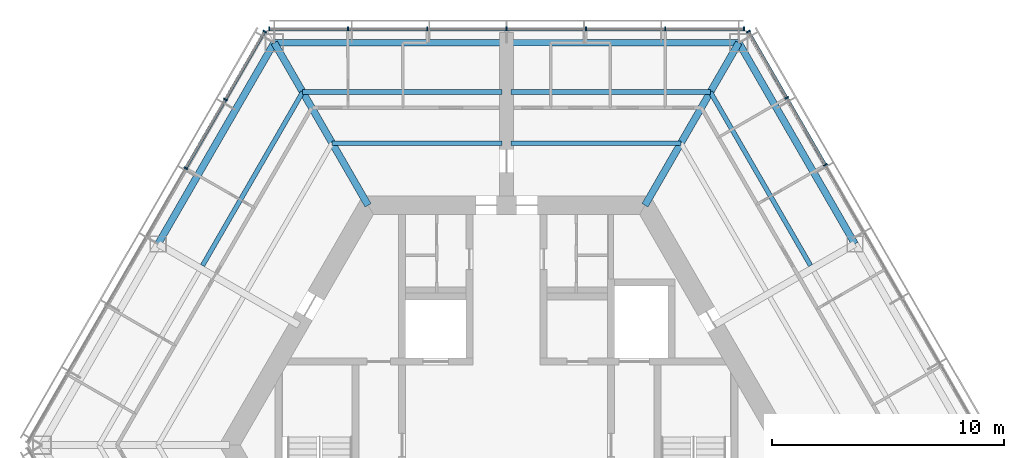
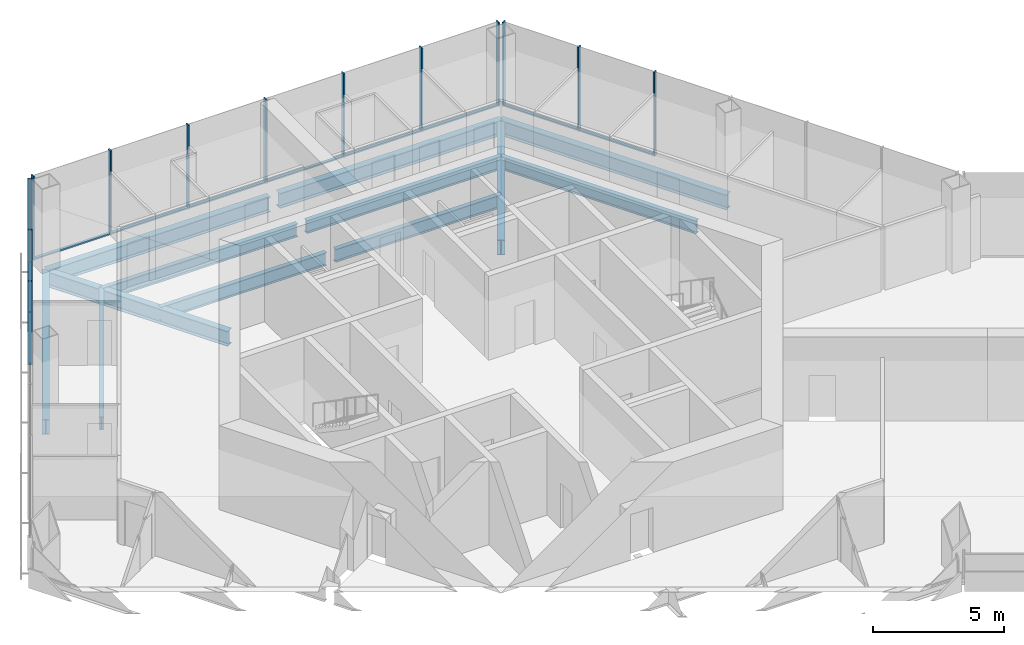
# One storey, part 5 of 13: 23 members, 12 beams, 3 elements without a shape of their own.
"""IFC4 building model written with IfcOpenShell, lengths in metres."""

import ifcopenshell
import ifcopenshell.guid

model = None  # the IFC model being written
_history = None  # IfcOwnerHistory: only IFC2X3 demands one
_inside = {}  # id of a spatial element -> (the spatial element, [elements in it])
_under = {}  # id of a project, library or spatial element -> (it, [spatial elements below it])
_declared = {}  # id of a project -> (the project, [libraries it declares])
_typed = {}  # id of a type object -> (the type object, [elements of that type])
_made_of = {}  # id of a material, layer set ... -> (it, [elements and type objects made of it])


def new_model(schema):
    """Start an empty IFC model of exactly this schema.

    Asked for "IFC4X3", IfcOpenShell would pick the latest addendum, in which some entities
    have other attributes; the version numbers below select the first issue.
    IFC2X3 requires an IfcOwnerHistory on every rooted entity: one is made here for all.
    """
    global model, _history
    if schema == "IFC4X3":
        model = ifcopenshell.file(schema_version=(4, 3, 0, 0))
    else:
        model = ifcopenshell.file(schema=schema)
    _inside.clear()
    _under.clear()
    _declared.clear()
    _typed.clear()
    _made_of.clear()
    _history = None
    if model.schema == "IFC2X3":
        org = make("IfcOrganization", Name="unknown")
        user = make(
            "IfcPersonAndOrganization",
            ThePerson=make("IfcPerson", FamilyName="unknown"),
            TheOrganization=org,
        )
        app = make(
            "IfcApplication",
            ApplicationDeveloper=org,
            Version="unknown",
            ApplicationFullName="unknown",
            ApplicationIdentifier="unknown",
        )
        _history = make(
            "IfcOwnerHistory",
            OwningUser=user,
            OwningApplication=app,
            ChangeAction="ADDED",
            CreationDate=0,
        )
    return model


def make(cls, **values):
    """One entity of the class cls with the attributes given. An attribute that is None is left unset."""
    return model.create_entity(
        cls, **{name: value for name, value in values.items() if value is not None}
    )


def rooted(cls, **values):
    """An entity with a GlobalId (a new one), such as an element, a storey or a relation."""
    return make(cls, GlobalId=ifcopenshell.guid.new(), OwnerHistory=_history, **values)


def si_unit(unit_type, name, prefix=None):
    """IfcSIUnit, for example si_unit("LENGTHUNIT", "METRE", prefix="MILLI")."""
    return make("IfcSIUnit", UnitType=unit_type, Prefix=prefix, Name=name)


def assignment(units):
    """IfcUnitAssignment: the units of a project."""
    return None if units is None else make("IfcUnitAssignment", Units=units)


def point(xyz):
    """IfcCartesianPoint."""
    return None if xyz is None else make("IfcCartesianPoint", Coordinates=xyz)


def direction(xyz):
    """IfcDirection."""
    return None if xyz is None else make("IfcDirection", DirectionRatios=xyz)


def frame(location, z_axis=None, x_axis=None):
    """IfcAxis2Placement3D, a coordinate frame: its origin and axes. An axis left out is left unset."""
    return make(
        "IfcAxis2Placement3D",
        Location=point(location),
        Axis=direction(z_axis),
        RefDirection=direction(x_axis),
    )


def frame_2d(location, x_axis=None):
    """IfcAxis2Placement2D, a coordinate frame in the plane: its origin and x axis."""
    return make(
        "IfcAxis2Placement2D", Location=point(location), RefDirection=direction(x_axis)
    )


def origin():
    """The frame at (0, 0, 0) with its axes left unset."""
    return frame((0.0, 0.0, 0.0))


def origin_2d():
    """The frame at (0, 0) in the plane with its x axis left unset."""
    return frame_2d((0.0, 0.0))


def place(relative_to, where):
    """IfcLocalPlacement: puts the frame where relative to a parent placement (None: the world)."""
    return make(
        "IfcLocalPlacement", PlacementRelTo=relative_to, RelativePlacement=where
    )


def context(
    kind, dimensions, precision=None, world=None, true_north=None, identifier=None
):
    """IfcGeometricRepresentationContext, for example the 3D "Model" context."""
    return make(
        "IfcGeometricRepresentationContext",
        ContextIdentifier=identifier,
        ContextType=kind,
        CoordinateSpaceDimension=dimensions,
        Precision=precision,
        WorldCoordinateSystem=world,
        TrueNorth=true_north,
    )


def subcontext(parent, identifier, kind, view, scale=None):
    """IfcGeometricRepresentationSubContext, for example "Body" below "Model"."""
    return make(
        "IfcGeometricRepresentationSubContext",
        ContextIdentifier=identifier,
        ContextType=kind,
        ParentContext=parent,
        TargetScale=scale,
        TargetView=view,
    )


def project(units=None, contexts=None):
    """IfcProject with its units and contexts."""
    return rooted(
        "IfcProject",
        Name="project",
        RepresentationContexts=contexts,
        UnitsInContext=assignment(units),
    )


def spatial(cls, under=None, at=None, **own):
    """A site, building, storey or space (cls), placed at a placement, below another one or the project."""
    s = rooted(cls, ObjectPlacement=at, **own)
    if under is not None:
        _under.setdefault(under.id(), (under, []))[1].append(s)
    return s


def profile(cls, at=None, kind="AREA", **sizes):
    """A parametric profile (cls). Its sizes go by their IFC names, for example OverallWidth=200.0."""
    return make(cls, ProfileType=kind, Position=at, **sizes)


def rectangle(**sizes):
    """IfcRectangleProfileDef."""
    return profile("IfcRectangleProfileDef", **sizes)


def i_section(**sizes):
    """IfcIShapeProfileDef."""
    return profile("IfcIShapeProfileDef", **sizes)


def extrude(swept, where, along, depth):
    """IfcExtrudedAreaSolid: the profile swept, set in the frame where, extruded along a direction by depth."""
    return make(
        "IfcExtrudedAreaSolid",
        SweptArea=swept,
        Position=where,
        ExtrudedDirection=direction(along),
        Depth=depth,
    )


def shape(context_of_items, identifier, shape_type, items):
    """IfcShapeRepresentation: the items that make up one representation, for example the "Body"."""
    return make(
        "IfcShapeRepresentation",
        ContextOfItems=context_of_items,
        RepresentationIdentifier=identifier,
        RepresentationType=shape_type,
        Items=items,
    )


def material(Name=None, Category=None):
    """IfcMaterial."""
    return make("IfcMaterial", Name=Name, Category=Category)


def material_profile(
    of_material, cross_section, Name=None, Category=None, Priority=None
):
    """IfcMaterialProfile: a cross section and its material."""
    return make(
        "IfcMaterialProfile",
        Name=Name,
        Material=of_material,
        Profile=cross_section,
        Priority=Priority,
        Category=Category,
    )


def profile_set(profiles, Name=None, composite=None):
    """IfcMaterialProfileSet."""
    return make(
        "IfcMaterialProfileSet",
        Name=Name,
        MaterialProfiles=profiles,
        CompositeProfile=composite,
    )


def made_of(thing, what):
    """Note that an element or type object is made of a material, layer set ...; save() writes the relation."""
    if what is not None:
        _made_of.setdefault(what.id(), (what, []))[1].append(thing)
    return thing


def type_object(cls, material=None, **own):
    """A type object (cls), such as IfcWallType, which elements share."""
    return made_of(rooted(cls, **own), material)


def element(
    cls,
    number,
    at=None,
    inside=None,
    cuts=None,
    type_object=None,
    material=None,
    context=None,
    identifier="Body",
    shape_type=None,
    held_by="IfcProductDefinitionShape",
    body=None,
    shapes=None,
    **own,
):
    """One element of the class cls, such as IfcWall. Its Tag is "e" and its number.

    at: its placement. inside: the storey or other place that contains it. cuts: it is an
    opening in that element (IfcRelVoidsElement). A single representation is given by context,
    identifier, shape_type and body (its items); several are given by shapes. held_by: the class
    of the entity that holds the representations. save() writes the other relations.
    """
    e = rooted(cls, Tag="e%d" % number, ObjectPlacement=at, **own)
    if body is not None:
        shapes = [shape(context, identifier, shape_type, body)]
    if shapes is not None:
        e.Representation = make(held_by, Representations=shapes)
    if inside is not None:
        _inside.setdefault(inside.id(), (inside, []))[1].append(e)
    if cuts is not None:
        rooted(
            "IfcRelVoidsElement", RelatingBuildingElement=cuts, RelatedOpeningElement=e
        )
    if type_object is not None:
        _typed.setdefault(type_object.id(), (type_object, []))[1].append(e)
    return made_of(e, material)


def aggregate(whole, parts):
    """IfcRelAggregates: a whole, such as a stair, and the parts it consists of."""
    return rooted("IfcRelAggregates", RelatingObject=whole, RelatedObjects=parts)


def save(model, path):
    """Write the relations noted so far, then the file.

    IfcRelAggregates (storeys below a building ...), IfcRelContainedInSpatialStructure (elements
    in a storey), IfcRelDefinesByType, IfcRelAssociatesMaterial and IfcRelDeclares: one each for
    every whole, place, type object, material and project.
    """
    for whole, parts in _under.values():
        aggregate(whole, parts)
    for where, things in _inside.values():
        rooted(
            "IfcRelContainedInSpatialStructure",
            RelatedElements=things,
            RelatingStructure=where,
        )
    for kind, things in _typed.values():
        rooted("IfcRelDefinesByType", RelatedObjects=things, RelatingType=kind)
    for what, things in _made_of.values():
        rooted("IfcRelAssociatesMaterial", RelatedObjects=things, RelatingMaterial=what)
    for by, libraries in _declared.values():
        rooted("IfcRelDeclares", RelatingContext=by, RelatedDefinitions=libraries)
    model.write(path)


model = new_model("IFC4")

# Units and contexts
model_context = context("Model", 3, precision=1e-05, world=origin(), true_north=direction((0.0, 1.0)))
body_context = subcontext(model_context, "Body", "Model", "MODEL_VIEW")
ifc_project = project(units=[si_unit("LENGTHUNIT", "METRE"), si_unit("AREAUNIT", "SQUARE_METRE"), si_unit("VOLUMEUNIT", "CUBIC_METRE"), si_unit("PLANEANGLEUNIT", "RADIAN"), si_unit("MASSUNIT", "GRAM", prefix="KILO")], contexts=[model_context])

# Site, building, storey
site_placement = place(None, origin())
site = spatial("IfcSite", under=ifc_project, at=site_placement, CompositionType="ELEMENT")
building_placement = place(site_placement, origin())
building = spatial("IfcBuilding", under=site, at=building_placement, Name="Kasaneha Research Tower", CompositionType="ELEMENT")
storey_placement = place(building_placement, frame((0.0, 0.0, 294.699951171875)))
storey = spatial("IfcBuildingStorey", under=building, at=storey_placement, Name="L74", CompositionType="ELEMENT", Elevation=294.699951171875)

# Beams
ifc_material_1 = material(Name="Steel SN490B", Category="steel")
ifc_material_profile_1 = material_profile(ifc_material_1, i_section(OverallWidth=0.199951171875, OverallDepth=0.60009765625, WebThickness=0.010986328125, FlangeThickness=0.01708984375, FilletRadius=0.012939453125, at=origin_2d()), Name="H-600x200x11x17")
ifc_profile_set_1 = profile_set([ifc_material_profile_1], Name="Steel SN490B")
beam_type_1 = type_object("IfcBeamType", Name="B1-3 secondary beam H-600x200x11x17", PredefinedType="JOIST", material=ifc_profile_set_1)
beam_1_placement = place(storey_placement, frame((8.775634765625, 15.199951171875, -0.449951171875), z_axis=(0.500017275495, -0.866015429543, 0.0), x_axis=(0.866015429543, 0.500017275495, 0.0)))
element("IfcBeam", 1, at=beam_1_placement, inside=storey, type_object=beam_type_1, Name="Secondary beam RS030R2 L74", PredefinedType="JOIST", context=body_context, shape_type="SweptSolid", body=[
    extrude(i_section(OverallWidth=0.199951171875, OverallDepth=0.60009765625, WebThickness=0.010986328125, FlangeThickness=0.01708984375, FilletRadius=0.012939453125, at=origin_2d()), origin(), (0.0, 0.0, 1.0), 8.625732421875),
])
beam_2_placement = place(storey_placement, frame((7.505615234375, 13.0, -0.449951171875), z_axis=(-1.0, 0.0, 0.0), x_axis=(0.0, -1.0, 0.0)))
element("IfcBeam", 2, at=beam_2_placement, inside=storey, type_object=beam_type_1, Name="Secondary beam RS090L1 L74", PredefinedType="JOIST", context=body_context, shape_type="SweptSolid", body=[
    extrude(i_section(OverallWidth=0.199951171875, OverallDepth=0.60009765625, WebThickness=0.010986328125, FlangeThickness=0.01708984375, FilletRadius=0.012939453125, at=origin_2d()), origin(), (0.0, 0.0, 1.0), 7.3056640625),
])
beam_3_placement = place(storey_placement, frame((8.775634765625, 15.199951171875, -0.449951171875), z_axis=(-1.0, 0.0, 0.0), x_axis=(0.0, -1.0, 0.0)))
element("IfcBeam", 3, at=beam_3_placement, inside=storey, type_object=beam_type_1, Name="Secondary beam RS090L2 L74", PredefinedType="JOIST", context=body_context, shape_type="SweptSolid", body=[
    extrude(i_section(OverallWidth=0.199951171875, OverallDepth=0.60009765625, WebThickness=0.010986328125, FlangeThickness=0.01708984375, FilletRadius=0.012939453125, at=origin_2d()), origin(), (0.0, 0.0, 1.0), 8.57568359375),
])
beam_4_placement = place(storey_placement, frame((-7.505615234375, 13.0, -0.449951171875), z_axis=(1.0, 0.0, 0.0), x_axis=(0.0, 1.0, 0.0)))
element("IfcBeam", 4, at=beam_4_placement, inside=storey, type_object=beam_type_1, Name="Secondary beam RS090R1 L74", PredefinedType="JOIST", context=body_context, shape_type="SweptSolid", body=[
    extrude(i_section(OverallWidth=0.199951171875, OverallDepth=0.60009765625, WebThickness=0.010986328125, FlangeThickness=0.01708984375, FilletRadius=0.012939453125, at=origin_2d()), origin(), (0.0, 0.0, 1.0), 7.3056640625),
])
beam_5_placement = place(storey_placement, frame((-8.775634765625, 15.199951171875, -0.449951171875), z_axis=(1.0, 0.0, 0.0), x_axis=(0.0, 1.0, 0.0)))
element("IfcBeam", 5, at=beam_5_placement, inside=storey, type_object=beam_type_1, Name="Secondary beam RS090R2 L74", PredefinedType="JOIST", context=body_context, shape_type="SweptSolid", body=[
    extrude(i_section(OverallWidth=0.199951171875, OverallDepth=0.60009765625, WebThickness=0.010986328125, FlangeThickness=0.01708984375, FilletRadius=0.012939453125, at=origin_2d()), origin(), (0.0, 0.0, 1.0), 8.57568359375),
])
beam_6_placement = place(storey_placement, frame((-8.775634765625, 15.199951171875, -0.449951171875), z_axis=(-0.500017275495, -0.866015429543, 0.0), x_axis=(0.866015429543, -0.500017275495, 0.0)))
element("IfcBeam", 6, at=beam_6_placement, inside=storey, type_object=beam_type_1, Name="Secondary beam RS150L2 L74", PredefinedType="JOIST", context=body_context, shape_type="SweptSolid", body=[
    extrude(i_section(OverallWidth=0.199951171875, OverallDepth=0.60009765625, WebThickness=0.010986328125, FlangeThickness=0.01708984375, FilletRadius=0.012939453125, at=origin_2d()), origin(), (0.0, 0.0, 1.0), 8.625732421875),
])

# Curtain wall, members
ifc_material_2 = material(Name="Glass and aluminium", Category="aluminium")
curtain_wall_type = type_object("IfcCurtainWallType", Name="Crown curtain wall", PredefinedType="USERDEFINED", material=ifc_material_2)
curtain_wall_1_placement = place(storey_placement, origin())
curtain_wall_1 = element("IfcCurtainWall", 7, at=curtain_wall_1_placement, inside=storey, type_object=curtain_wall_type, Name="CW-C L74 run 01a", ObjectType="UNITISED CURTAIN WALL", PredefinedType="USERDEFINED")
ifc_material_3 = material(Name="Aluminium 6063-T6", Category="aluminium")
ifc_material_profile_2 = material_profile(ifc_material_3, rectangle(XDim=0.06005859375, YDim=0.179931640625, at=origin_2d()), Name="CW-C mullion 60x180")
ifc_profile_set_2 = profile_set([ifc_material_profile_2], Name="Aluminium 6063-T6")
member_type_1 = type_object("IfcMemberType", Name="CW-C mullion", PredefinedType="MULLION", material=ifc_profile_set_2)
member_1_placement = place(storey_placement, frame((13.727294921875, 12.064453125, 0.0), z_axis=(0.0, 0.0, 1.0), x_axis=(-0.499999979232, 0.866025415775, 0.0)))
member_1 = element("IfcMember", 8, at=member_1_placement, type_object=member_type_1, Name="CW-C mullion 5", PredefinedType="MULLION", context=body_context, shape_type="SweptSolid", body=[
    extrude(rectangle(XDim=0.06005859375, YDim=0.179931640625, at=origin_2d()), origin(), (0.0, 0.0, 1.0), 3.900146484375),
])
member_2_placement = place(storey_placement, frame((12.061767578125, 14.94921875, 0.0), z_axis=(0.0, 0.0, 1.0), x_axis=(-0.499999979232, 0.866025415775, 0.0)))
member_2 = element("IfcMember", 9, at=member_2_placement, type_object=member_type_1, Name="CW-C mullion 6", PredefinedType="MULLION", context=body_context, shape_type="SweptSolid", body=[
    extrude(rectangle(XDim=0.06005859375, YDim=0.179931640625, at=origin_2d()), origin(), (0.0, 0.0, 1.0), 3.900146484375),
])
member_3_placement = place(storey_placement, frame((10.411376953125, 17.807861328125, 0.0), z_axis=(0.0, 0.0, 1.0), x_axis=(-0.499999979232, 0.866025415775, 0.0)))
member_3 = element("IfcMember", 10, at=member_3_placement, type_object=member_type_1, Name="CW-C mullion 7", PredefinedType="MULLION", context=body_context, shape_type="SweptSolid", body=[
    extrude(rectangle(XDim=0.06005859375, YDim=0.179931640625, at=origin_2d()), origin(), (0.0, 0.0, 1.0), 3.900146484375),
])

curtain_wall_2_placement = place(storey_placement, origin())
curtain_wall_2 = element("IfcCurtainWall", 11, at=curtain_wall_2_placement, inside=storey, type_object=curtain_wall_type, Name="CW-C L74 run 02a", ObjectType="UNITISED CURTAIN WALL", PredefinedType="USERDEFINED")
member_4_placement = place(storey_placement, frame((10.21630859375, 17.92041015625, 0.0), z_axis=(0.0, 0.0, 1.0), x_axis=(-1.0, 0.0, 0.0)))
member_4 = element("IfcMember", 12, at=member_4_placement, type_object=member_type_1, Name="CW-C mullion 1", PredefinedType="MULLION", context=body_context, shape_type="SweptSolid", body=[
    extrude(rectangle(XDim=0.06005859375, YDim=0.179931640625, at=origin_2d()), origin(), (0.0, 0.0, 1.0), 3.900146484375),
])
member_5_placement = place(storey_placement, frame((6.8310546875, 17.92041015625, 0.0), z_axis=(0.0, 0.0, 1.0), x_axis=(-1.0, 0.0, 0.0)))
member_5 = element("IfcMember", 13, at=member_5_placement, type_object=member_type_1, Name="CW-C mullion 2", PredefinedType="MULLION", context=body_context, shape_type="SweptSolid", body=[
    extrude(rectangle(XDim=0.06005859375, YDim=0.179931640625, at=origin_2d()), origin(), (0.0, 0.0, 1.0), 3.900146484375),
])
member_6_placement = place(storey_placement, frame((3.41552734375, 17.92041015625, 0.0), z_axis=(0.0, 0.0, 1.0), x_axis=(-1.0, 0.0, 0.0)))
member_6 = element("IfcMember", 14, at=member_6_placement, type_object=member_type_1, Name="CW-C mullion 3", PredefinedType="MULLION", context=body_context, shape_type="SweptSolid", body=[
    extrude(rectangle(XDim=0.06005859375, YDim=0.179931640625, at=origin_2d()), origin(), (0.0, 0.0, 1.0), 3.900146484375),
])
member_7_placement = place(storey_placement, frame((0.0, 17.92041015625, 0.0), z_axis=(0.0, 0.0, 1.0), x_axis=(-1.0, 0.0, 0.0)))
member_7 = element("IfcMember", 15, at=member_7_placement, type_object=member_type_1, Name="CW-C mullion 4", PredefinedType="MULLION", context=body_context, shape_type="SweptSolid", body=[
    extrude(rectangle(XDim=0.06005859375, YDim=0.179931640625, at=origin_2d()), origin(), (0.0, 0.0, 1.0), 3.900146484375),
])
member_8_placement = place(storey_placement, frame((-3.41552734375, 17.92041015625, 0.0), z_axis=(0.0, 0.0, 1.0), x_axis=(-1.0, 0.0, 0.0)))
member_8 = element("IfcMember", 16, at=member_8_placement, type_object=member_type_1, Name="CW-C mullion 5", PredefinedType="MULLION", context=body_context, shape_type="SweptSolid", body=[
    extrude(rectangle(XDim=0.06005859375, YDim=0.179931640625, at=origin_2d()), origin(), (0.0, 0.0, 1.0), 3.900146484375),
])
member_9_placement = place(storey_placement, frame((-6.8310546875, 17.92041015625, 0.0), z_axis=(0.0, 0.0, 1.0), x_axis=(-1.0, 0.0, 0.0)))
member_9 = element("IfcMember", 17, at=member_9_placement, type_object=member_type_1, Name="CW-C mullion 6", PredefinedType="MULLION", context=body_context, shape_type="SweptSolid", body=[
    extrude(rectangle(XDim=0.06005859375, YDim=0.179931640625, at=origin_2d()), origin(), (0.0, 0.0, 1.0), 3.900146484375),
])
member_10_placement = place(storey_placement, frame((-10.21630859375, 17.92041015625, 0.0), z_axis=(0.0, 0.0, 1.0), x_axis=(-1.0, 0.0, 0.0)))
member_10 = element("IfcMember", 18, at=member_10_placement, type_object=member_type_1, Name="CW-C mullion 7", PredefinedType="MULLION", context=body_context, shape_type="SweptSolid", body=[
    extrude(rectangle(XDim=0.06005859375, YDim=0.179931640625, at=origin_2d()), origin(), (0.0, 0.0, 1.0), 3.900146484375),
])

curtain_wall_3_placement = place(storey_placement, origin())
curtain_wall_3 = element("IfcCurtainWall", 19, at=curtain_wall_3_placement, inside=storey, type_object=curtain_wall_type, Name="CW-C L74 run 03a", ObjectType="UNITISED CURTAIN WALL", PredefinedType="USERDEFINED")
member_11_placement = place(storey_placement, frame((-10.411376953125, 17.807861328125, 0.0), z_axis=(0.0, 0.0, 1.0), x_axis=(-0.499999995722, -0.866025406254, 0.0)))
member_11 = element("IfcMember", 20, at=member_11_placement, type_object=member_type_1, Name="CW-C mullion 1", PredefinedType="MULLION", context=body_context, shape_type="SweptSolid", body=[
    extrude(rectangle(XDim=0.06005859375, YDim=0.179931640625, at=origin_2d()), origin(), (0.0, 0.0, 1.0), 3.900146484375),
])
member_12_placement = place(storey_placement, frame((-12.104248046875, 14.8759765625, 0.0), z_axis=(0.0, 0.0, 1.0), x_axis=(-0.499999995722, -0.866025406254, 0.0)))
member_12 = element("IfcMember", 21, at=member_12_placement, type_object=member_type_1, Name="CW-C mullion 2", PredefinedType="MULLION", context=body_context, shape_type="SweptSolid", body=[
    extrude(rectangle(XDim=0.06005859375, YDim=0.179931640625, at=origin_2d()), origin(), (0.0, 0.0, 1.0), 3.900146484375),
])
member_13_placement = place(storey_placement, frame((-13.811767578125, 11.918212890625, 0.0), z_axis=(0.0, 0.0, 1.0), x_axis=(-0.499999995722, -0.866025406254, 0.0)))
member_13 = element("IfcMember", 22, at=member_13_placement, type_object=member_type_1, Name="CW-C mullion 3", PredefinedType="MULLION", context=body_context, shape_type="SweptSolid", body=[
    extrude(rectangle(XDim=0.06005859375, YDim=0.179931640625, at=origin_2d()), origin(), (0.0, 0.0, 1.0), 3.900146484375),
])

# Member
ifc_material_4 = material(Name="Aluminium 6063-T6", Category="aluminium")
ifc_material_profile_3 = material_profile(ifc_material_4, rectangle(XDim=0.1298828125, YDim=0.06005859375, at=origin_2d()), Name="CW-C transom 130x60")
ifc_profile_set_3 = profile_set([ifc_material_profile_3], Name="Aluminium 6063-T6")
member_type_2 = type_object("IfcMemberType", Name="CW-C transom", PredefinedType="USERDEFINED", material=ifc_profile_set_3)
member_14_placement = place(storey_placement, frame((13.71240234375, 12.090576171875, 0.030029296875), z_axis=(-0.500000270186, 0.866025247793, 0.0), x_axis=(-0.866025247793, -0.500000270186, 0.0)))
member_14 = element("IfcMember", 23, at=member_14_placement, type_object=member_type_2, Name="CW-C transom 5", ObjectType="TRANSOM", PredefinedType="USERDEFINED", context=body_context, shape_type="SweptSolid", body=[
    extrude(rectangle(XDim=0.1298828125, YDim=0.06005859375, at=origin_2d()), origin(), (0.0, 0.0, 1.0), 3.27099609375),
])

member_15_placement = place(storey_placement, frame((12.046875, 14.97509765625, 0.030029296875), z_axis=(-0.499955025697, 0.866051368154, 0.0), x_axis=(-0.866051368154, -0.499955025697, 0.0)))
member_15 = element("IfcMember", 24, at=member_15_placement, type_object=member_type_2, Name="CW-C transom 6", ObjectType="TRANSOM", PredefinedType="USERDEFINED", context=body_context, shape_type="SweptSolid", body=[
    extrude(rectangle(XDim=0.1298828125, YDim=0.06005859375, at=origin_2d()), origin(), (0.0, 0.0, 1.0), 3.240966796875),
])

aggregate(curtain_wall_1, [member_1, member_2, member_3, member_14, member_15])

member_16_placement = place(storey_placement, frame((10.1865234375, 17.92041015625, 0.030029296875), z_axis=(-1.0, 0.0, 0.0), x_axis=(0.0, -1.0, 0.0)))
member_16 = element("IfcMember", 25, at=member_16_placement, type_object=member_type_2, Name="CW-C transom 1", ObjectType="TRANSOM", PredefinedType="USERDEFINED", context=body_context, shape_type="SweptSolid", body=[
    extrude(rectangle(XDim=0.1298828125, YDim=0.06005859375, at=origin_2d()), origin(), (0.0, 0.0, 1.0), 3.32568359375),
])

member_17_placement = place(storey_placement, frame((6.801025390625, 17.92041015625, 0.030029296875), z_axis=(-1.0, 0.0, 0.0), x_axis=(0.0, -1.0, 0.0)))
member_17 = element("IfcMember", 26, at=member_17_placement, type_object=member_type_2, Name="CW-C transom 2", ObjectType="TRANSOM", PredefinedType="USERDEFINED", context=body_context, shape_type="SweptSolid", body=[
    extrude(rectangle(XDim=0.1298828125, YDim=0.06005859375, at=origin_2d()), origin(), (0.0, 0.0, 1.0), 3.35546875),
])

member_18_placement = place(storey_placement, frame((3.385498046875, 17.92041015625, 0.030029296875), z_axis=(-1.0, 0.0, 0.0), x_axis=(0.0, -1.0, 0.0)))
member_18 = element("IfcMember", 27, at=member_18_placement, type_object=member_type_2, Name="CW-C transom 3", ObjectType="TRANSOM", PredefinedType="USERDEFINED", context=body_context, shape_type="SweptSolid", body=[
    extrude(rectangle(XDim=0.1298828125, YDim=0.06005859375, at=origin_2d()), origin(), (0.0, 0.0, 1.0), 3.35546875),
])

member_19_placement = place(storey_placement, frame((-0.030029296875, 17.92041015625, 0.030029296875), z_axis=(-1.0, 0.0, 0.0), x_axis=(0.0, -1.0, 0.0)))
member_19 = element("IfcMember", 28, at=member_19_placement, type_object=member_type_2, Name="CW-C transom 4", ObjectType="TRANSOM", PredefinedType="USERDEFINED", context=body_context, shape_type="SweptSolid", body=[
    extrude(rectangle(XDim=0.1298828125, YDim=0.06005859375, at=origin_2d()), origin(), (0.0, 0.0, 1.0), 3.35546875),
])

member_20_placement = place(storey_placement, frame((-3.445556640625, 17.92041015625, 0.030029296875), z_axis=(-1.0, 0.0, 0.0), x_axis=(0.0, -1.0, 0.0)))
member_20 = element("IfcMember", 29, at=member_20_placement, type_object=member_type_2, Name="CW-C transom 5", ObjectType="TRANSOM", PredefinedType="USERDEFINED", context=body_context, shape_type="SweptSolid", body=[
    extrude(rectangle(XDim=0.1298828125, YDim=0.06005859375, at=origin_2d()), origin(), (0.0, 0.0, 1.0), 3.35546875),
])

member_21_placement = place(storey_placement, frame((-6.86083984375, 17.92041015625, 0.030029296875), z_axis=(-1.0, 0.0, 0.0), x_axis=(0.0, -1.0, 0.0)))
member_21 = element("IfcMember", 30, at=member_21_placement, type_object=member_type_2, Name="CW-C transom 6", ObjectType="TRANSOM", PredefinedType="USERDEFINED", context=body_context, shape_type="SweptSolid", body=[
    extrude(rectangle(XDim=0.1298828125, YDim=0.06005859375, at=origin_2d()), origin(), (0.0, 0.0, 1.0), 3.32568359375),
])

aggregate(curtain_wall_2, [member_4, member_5, member_6, member_7, member_8, member_9, member_10, member_16, member_17, member_18, member_19, member_20, member_21])

member_22_placement = place(storey_placement, frame((-10.426513671875, 17.781982421875, 0.030029296875), z_axis=(-0.49997666526, -0.866038875684, 0.0), x_axis=(0.866038875684, -0.49997666526, 0.0)))
member_22 = element("IfcMember", 31, at=member_22_placement, type_object=member_type_2, Name="CW-C transom 1", ObjectType="TRANSOM", PredefinedType="USERDEFINED", context=body_context, shape_type="SweptSolid", body=[
    extrude(rectangle(XDim=0.1298828125, YDim=0.06005859375, at=origin_2d()), origin(), (0.0, 0.0, 1.0), 3.325439453125),
])

member_23_placement = place(storey_placement, frame((-12.119140625, 14.85009765625, 0.030029296875), z_axis=(-0.499989072476, -0.866031712701, 0.0), x_axis=(0.866031712701, -0.499989072476, 0.0)))
member_23 = element("IfcMember", 32, at=member_23_placement, type_object=member_type_2, Name="CW-C transom 2", ObjectType="TRANSOM", PredefinedType="USERDEFINED", context=body_context, shape_type="SweptSolid", body=[
    extrude(rectangle(XDim=0.1298828125, YDim=0.06005859375, at=origin_2d()), origin(), (0.0, 0.0, 1.0), 3.35546875),
])

aggregate(curtain_wall_3, [member_11, member_12, member_13, member_22, member_23])

# Beams
ifc_material_5 = material(Name="Steel SN490B", Category="steel")
ifc_material_profile_4 = material_profile(ifc_material_5, i_section(OverallWidth=0.300048828125, OverallDepth=0.699951171875, WebThickness=0.012939453125, FlangeThickness=0.02392578125, FilletRadius=0.01806640625, at=origin_2d()), Name="H-700x300x13x24")
ifc_profile_set_4 = profile_set([ifc_material_profile_4], Name="Steel SN490B")
beam_type_2 = type_object("IfcBeamType", Name="G1-3 radial girder H-700x300x13x24", PredefinedType="BEAM", material=ifc_profile_set_4)
for number, where, z_axis, x_axis, name in (
    (33, (5.961181640625, 10.324951171875, -0.5), (0.49999105496, 0.866030568144, 0.0), (-0.866030568144, 0.49999105496, 0.0), "Radial girder RV060 L74"),
    (34, (-5.961181640625, 10.324951171875, -0.5), (-0.49999105496, 0.866030568144, 0.0), (-0.866030568144, -0.49999105496, 0.0), "Radial girder RV120 L74"),
):
    element("IfcBeam", number, at=place(storey_placement, frame(where, z_axis=z_axis, x_axis=x_axis)), inside=storey, type_object=beam_type_2, Name=name, PredefinedType="BEAM", context=body_context, shape_type="SweptSolid", body=[
        extrude(i_section(OverallWidth=0.300048828125, OverallDepth=0.699951171875, WebThickness=0.012939453125, FlangeThickness=0.02392578125, FilletRadius=0.01806640625, at=origin_2d()), origin(), (0.0, 0.0, 1.0), 8.077880859375),
    ])
ifc_material_6 = material(Name="Steel SN490B", Category="steel")
ifc_material_profile_5 = material_profile(ifc_material_6, i_section(OverallWidth=0.300048828125, OverallDepth=0.69189453125, WebThickness=0.012939453125, FlangeThickness=0.02001953125, FilletRadius=0.01806640625, at=origin_2d()), Name="H-692x300x13x20")
ifc_profile_set_5 = profile_set([ifc_material_profile_5], Name="Steel SN490B")
beam_type_3 = type_object("IfcBeamType", Name="G3-3 plate edge girder H-692x300x13x20", PredefinedType="BEAM", material=ifc_profile_set_5)
for number, where, z_axis, x_axis, name in (
    (35, (10.0, 17.320556640625, -0.495849609375), (-1.0, 0.0, 0.0), (0.0, -1.0, 0.0), "Plate edge girder PEAP L74"),
    (36, (-10.0, 17.320556640625, -0.495849609375), (1.0, 0.0, 0.0), (0.0, 1.0, 0.0), "Plate edge girder PEAN L74"),
):
    element("IfcBeam", number, at=place(storey_placement, frame(where, z_axis=z_axis, x_axis=x_axis)), inside=storey, type_object=beam_type_3, Name=name, PredefinedType="BEAM", context=body_context, shape_type="SweptSolid", body=[
        extrude(i_section(OverallWidth=0.300048828125, OverallDepth=0.69189453125, WebThickness=0.012939453125, FlangeThickness=0.02001953125, FilletRadius=0.01806640625, at=origin_2d()), origin(), (0.0, 0.0, 1.0), 9.800048828125),
    ])
ifc_material_7 = material(Name="Steel SN490B", Category="steel")
ifc_material_profile_6 = material_profile(ifc_material_7, i_section(OverallWidth=0.300048828125, OverallDepth=0.69189453125, WebThickness=0.012939453125, FlangeThickness=0.02001953125, FilletRadius=0.01806640625, at=origin_2d()), Name="H-692x300x13x20")
ifc_profile_set_6 = profile_set([ifc_material_profile_6], Name="Steel SN490B")
beam_type_4 = type_object("IfcBeamType", Name="SB1-3 spandrel beam H-692x300x13x20", PredefinedType="SPANDREL", material=ifc_profile_set_6)
for number, where, z_axis, x_axis, name in (
    (37, (10.0, 17.320556640625, -0.495849609375), (0.499993662806, -0.866029062534, 0.0), (0.866029062534, 0.499993662806, 0.0), "Spandrel beam SR030R L74"),
    (38, (-10.0, 17.320556640625, -0.495849609375), (-0.499993662806, -0.866029062534, 0.0), (0.866029062534, -0.499993662806, 0.0), "Spandrel beam SR150L L74"),
):
    element("IfcBeam", number, at=place(storey_placement, frame(where, z_axis=z_axis, x_axis=x_axis)), inside=storey, type_object=beam_type_4, Name=name, PredefinedType="SPANDREL", context=body_context, shape_type="SweptSolid", body=[
        extrude(i_section(OverallWidth=0.300048828125, OverallDepth=0.69189453125, WebThickness=0.012939453125, FlangeThickness=0.02001953125, FilletRadius=0.01806640625, at=origin_2d()), origin(), (0.0, 0.0, 1.0), 10.000244140625),
    ])

save(model, "model.ifc")
